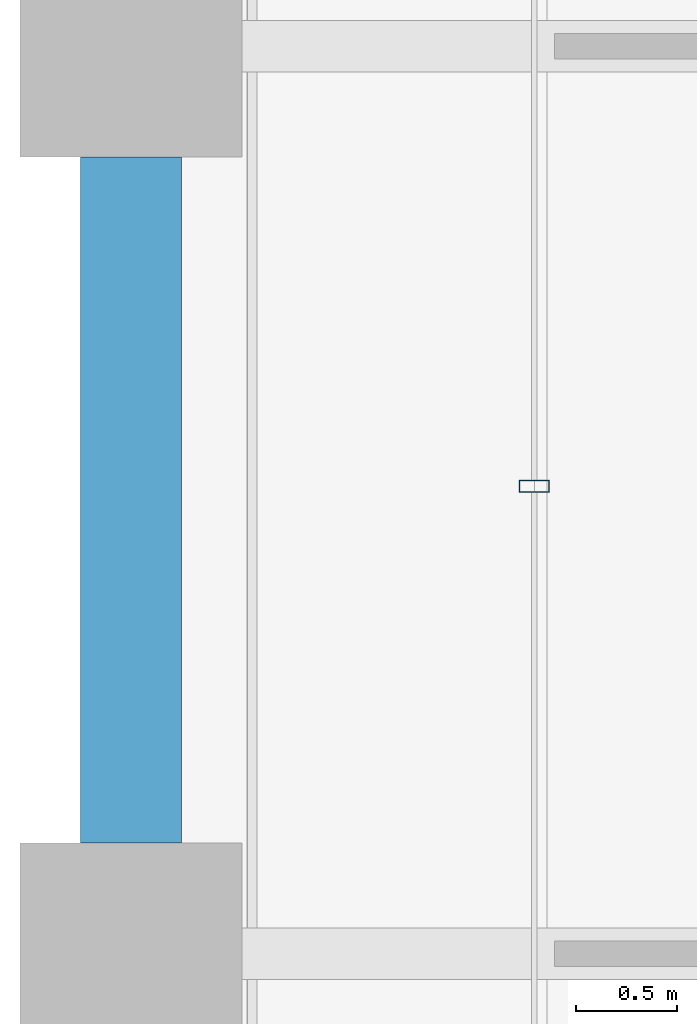
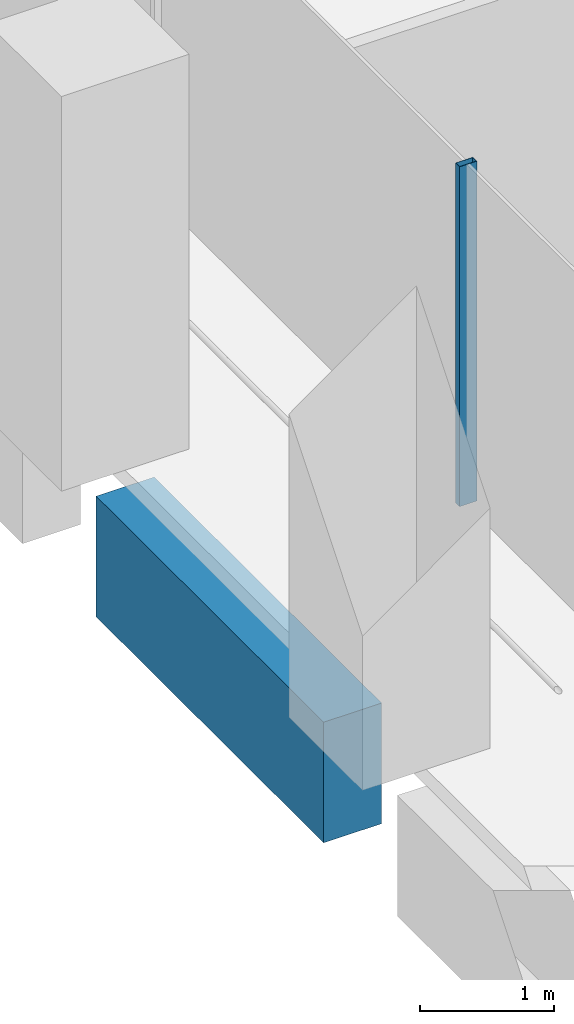
# One storey, part 12 of 56: 1 beam, 1 member, 1 element without a shape of its own.
"""IFC4 building model written with IfcOpenShell, lengths in metres."""

from ifc_helpers import new_model, si_unit, direction, frame, origin, origin_2d, place, context, subcontext, project, spatial, rectangle, hollow_rectangle, extrude, material, material_profile, profile_set, type_object, element, aggregate, save


model = new_model("IFC4")

# Units and contexts
model_context = context("Model", 3, precision=1e-05, world=origin(), true_north=direction((0.0, 1.0)))
body_context = subcontext(model_context, "Body", "Model", "MODEL_VIEW")
ifc_project = project(units=[si_unit("LENGTHUNIT", "METRE"), si_unit("AREAUNIT", "SQUARE_METRE"), si_unit("VOLUMEUNIT", "CUBIC_METRE"), si_unit("PLANEANGLEUNIT", "RADIAN"), si_unit("MASSUNIT", "GRAM", prefix="KILO")], contexts=[model_context])

# Site, building, storey
site_placement = place(None, origin())
site = spatial("IfcSite", under=ifc_project, at=site_placement, CompositionType="ELEMENT")
building_placement = place(site_placement, origin())
building = spatial("IfcBuilding", under=site, at=building_placement, Name="Altepetl Exchange Towers", CompositionType="ELEMENT")
storey_placement = place(building_placement, frame((0.0, 0.0, 69.0)))
storey = spatial("IfcBuildingStorey", under=building, at=storey_placement, Name="L16", CompositionType="ELEMENT", Elevation=69.0)

# Curtain wall, member
ifc_material_1 = material(Name="Aluminium 6063-T6 glazing", Category="aluminium")
curtain_wall_type = type_object("IfcCurtainWallType", Name="Loggia glazing system", PredefinedType="NOTDEFINED", material=ifc_material_1)
curtain_wall_placement = place(storey_placement, origin())
curtain_wall = element("IfcCurtainWall", 1, at=curtain_wall_placement, inside=storey, type_object=curtain_wall_type, Name="CW1 run", PredefinedType="NOTDEFINED")
ifc_material_2 = material(Name="Aluminium 6063-T6", Category="aluminium")
ifc_material_profile_1 = material_profile(ifc_material_2, hollow_rectangle(XDim=0.06005859375, YDim=0.14990234375, WallThickness=0.0029296875, at=origin_2d()), Name="Mullion 60x150 aluminium")
ifc_profile_set_1 = profile_set([ifc_material_profile_1], Name="Aluminium 6063-T6")
member_type = type_object("IfcMemberType", Name="Mullion 60x150 aluminium", PredefinedType="MULLION", material=ifc_profile_set_1)
member_placement = place(storey_placement, frame((29.0, 51.81787109375, 0.0), z_axis=(0.0, 0.0, 1.0), x_axis=(0.0, -1.0, 0.0)))
member = element("IfcMember", 2, at=member_placement, type_object=member_type, Name="MU1 mullion", PredefinedType="MULLION", context=body_context, shape_type="SweptSolid", body=[
    extrude(hollow_rectangle(XDim=0.06005859375, YDim=0.14990234375, WallThickness=0.0029296875, at=origin_2d()), origin(), (0.0, 0.0, 1.0), 3.10009765625),
])
aggregate(curtain_wall, [member])

# Beam
ifc_material_3 = material(Name="Concrete C50/60 precast with tezontle facing", Category="concrete")
ifc_material_profile_2 = material_profile(ifc_material_3, rectangle(XDim=0.5, YDim=1.10009765625, at=origin_2d()), Name="500 x 1100")
ifc_profile_set_2 = profile_set([ifc_material_profile_2], Name="Concrete C50/60 precast with tezontle facing")
beam_type = type_object("IfcBeamType", Name="Spandrel beam 500x1100 tezontle", PredefinedType="SPANDREL", material=ifc_profile_set_2)
beam_placement = place(storey_placement, frame((27.0, 53.449951171875, -0.699951171875), z_axis=(0.0, -1.0, 0.0), x_axis=(1.0, 0.0, 0.0)))
element("IfcBeam", 3, at=beam_placement, inside=storey, type_object=beam_type, Name="sp:A:L16:039", PredefinedType="SPANDREL", context=body_context, shape_type="SweptSolid", body=[
    extrude(rectangle(XDim=0.5, YDim=1.10009765625, at=origin_2d()), origin(), (0.0, 0.0, 1.0), 3.39990234375),
])

save(model, "model.ifc")
